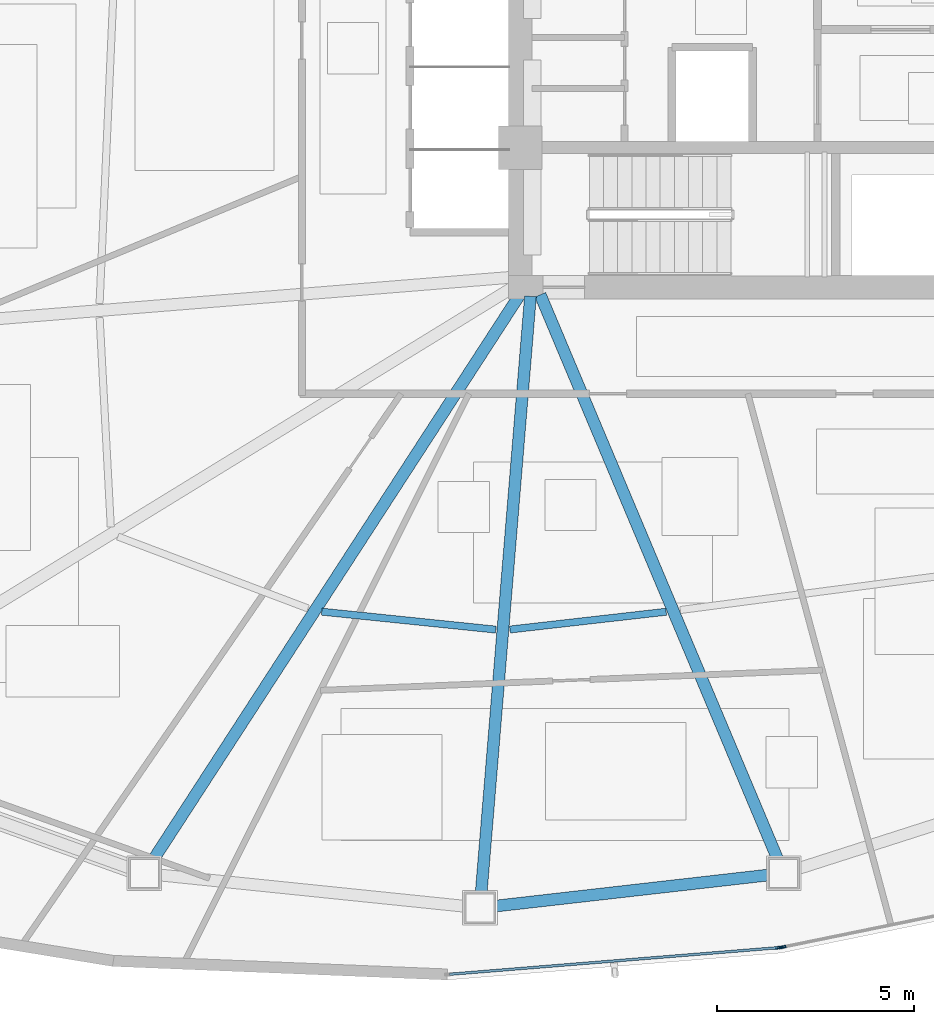
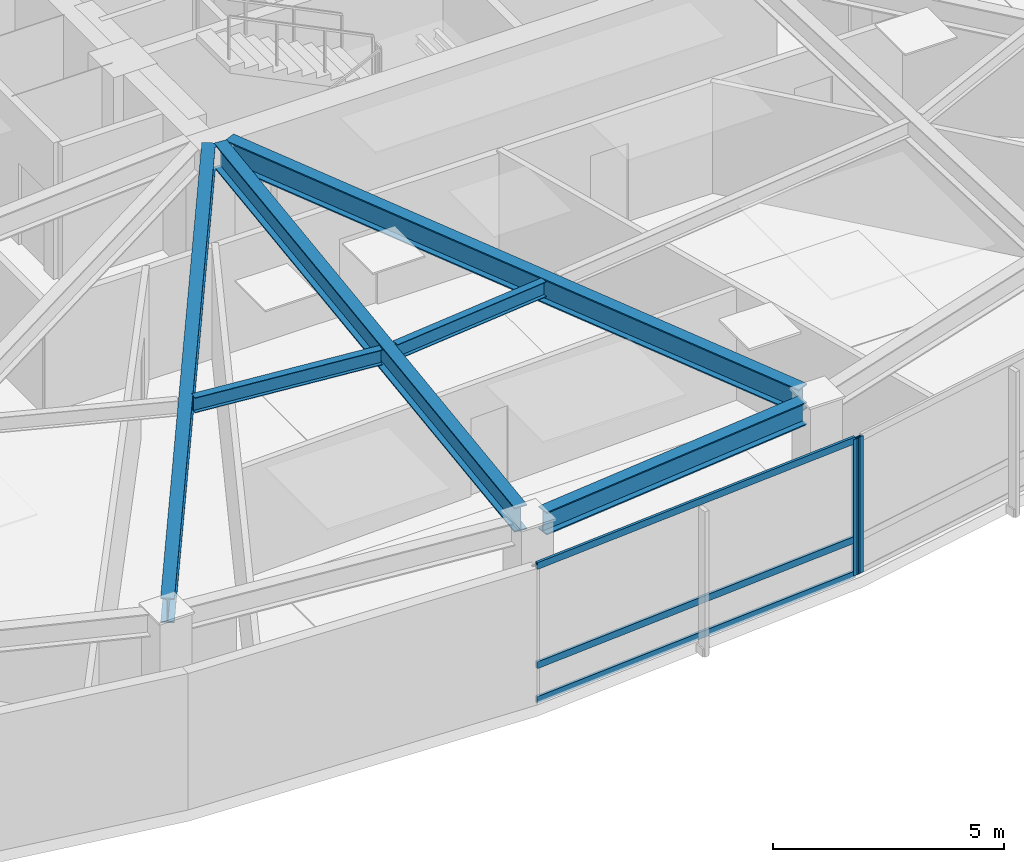
# One storey, part 3 of 18: 6 beams, 5 members, 2 elements without a shape of their own.
"""IFC4 building model written with IfcOpenShell, lengths in metres."""

from ifc_helpers import new_model, si_unit, direction, frame, origin, origin_2d, place, context, subcontext, project, spatial, hollow_rectangle, i_section, extrude, source, transform, mapped, material, layer, layer_set, material_profile, profile_set, type_object, type_shapes, element, aggregate, save


model = new_model("IFC4")

# Units and contexts
model_context = context("Model", 3, precision=1e-05, world=origin(), true_north=direction((0.0, 1.0)))
body_context = subcontext(model_context, "Body", "Model", "MODEL_VIEW")
ifc_project = project(units=[si_unit("LENGTHUNIT", "METRE"), si_unit("AREAUNIT", "SQUARE_METRE"), si_unit("VOLUMEUNIT", "CUBIC_METRE"), si_unit("PLANEANGLEUNIT", "RADIAN"), si_unit("MASSUNIT", "GRAM", prefix="KILO")], contexts=[model_context])

# Site, building, storey
site_placement = place(None, origin())
site = spatial("IfcSite", under=ifc_project, at=site_placement, CompositionType="ELEMENT")
building_placement = place(site_placement, origin())
building = spatial("IfcBuilding", under=site, at=building_placement, Name="Tavelor Broadcast Tower", CompositionType="ELEMENT")
storey_placement = place(building_placement, frame((0.0, 0.0, 58.800048828125)))
storey = spatial("IfcBuildingStorey", under=building, at=storey_placement, Name="L13", CompositionType="ELEMENT", Elevation=58.800048828125)

# Beams
ifc_material_1 = material(Name="Steel S355", Category="steel")
ifc_material_profile_1 = material_profile(ifc_material_1, i_section(OverallWidth=0.179931640625, OverallDepth=0.39990234375, WebThickness=0.008544921875, FlangeThickness=0.013427734375, at=origin_2d()), Name="IPE 400")
ifc_profile_set_1 = profile_set([ifc_material_profile_1], Name="Steel S355")
beam_type_1 = type_object("IfcBeamType", Name="Composite Floor Joist T1 IPE 400", PredefinedType="JOIST", material=ifc_profile_set_1)
beam_1_placement = place(storey_placement, frame((38.05517578125, 30.263671875, 3.39990234375), z_axis=(0.994731276638, -0.102516765835, 0.0), x_axis=(0.102516765835, 0.994731276638, 0.0)))
element("IfcBeam", 1, at=beam_1_placement, inside=storey, type_object=beam_type_1, Name="L13 Secondary Composite Floor Joist 08", PredefinedType="JOIST", context=body_context, shape_type="SweptSolid", body=[
    extrude(i_section(OverallWidth=0.179931640625, OverallDepth=0.39990234375, WebThickness=0.008544921875, FlangeThickness=0.013427734375, at=origin_2d()), origin(), (0.0, 0.0, 1.0), 4.44384765625),
])
beam_2_placement = place(storey_placement, frame((42.83544921875, 29.81005859375, 3.39990234375), z_axis=(0.993584195036, 0.113094860076, 0.0), x_axis=(-0.113094860076, 0.993584195036, 0.0)))
element("IfcBeam", 2, at=beam_2_placement, inside=storey, type_object=beam_type_1, Name="L13 Secondary Composite Floor Joist 09", PredefinedType="JOIST", context=body_context, shape_type="SweptSolid", body=[
    extrude(i_section(OverallWidth=0.179931640625, OverallDepth=0.39990234375, WebThickness=0.008544921875, FlangeThickness=0.013427734375, at=origin_2d()), origin(), (0.0, 0.0, 1.0), 3.99365234375),
])
ifc_material_profile_2 = material_profile(ifc_material_1, i_section(OverallWidth=0.300048828125, OverallDepth=0.60009765625, WebThickness=0.015380859375, FlangeThickness=0.030029296875, at=origin_2d()), Name="HEB 600")
ifc_profile_set_2 = profile_set([ifc_material_profile_2], Name="Steel S355")
beam_type_2 = type_object("IfcBeamType", Name="Perimeter Spandrel Beam T1 HEB 600", PredefinedType="SPANDREL", material=ifc_profile_set_2)
beam_3_placement = place(storey_placement, frame((42.45458984375, 22.783935546875, 3.300048828125), z_axis=(0.993590028959, 0.113043594921, 0.0), x_axis=(-0.113043594921, 0.993590028959, 0.0)))
element("IfcBeam", 3, at=beam_3_placement, inside=storey, type_object=beam_type_2, Name="L13 Framed-Tube Ring Spandrel 09", PredefinedType="SPANDREL", context=body_context, shape_type="SweptSolid", body=[
    extrude(i_section(OverallWidth=0.300048828125, OverallDepth=0.60009765625, WebThickness=0.015380859375, FlangeThickness=0.030029296875, at=origin_2d()), origin(), (0.0, 0.0, 1.0), 6.995361328125),
])
ifc_material_profile_3 = material_profile(ifc_material_1, i_section(OverallWidth=0.300048828125, OverallDepth=0.64990234375, WebThickness=0.01611328125, FlangeThickness=0.031005859375, at=origin_2d()), Name="HEB 650")
ifc_profile_set_3 = profile_set([ifc_material_profile_3], Name="Steel S355")
beam_type_3 = type_object("IfcBeamType", Name="Radial Floor Girder T1 HEB 650", PredefinedType="BEAM", material=ifc_profile_set_3)
beam_4_placement = place(storey_placement, frame((43.11279296875, 38.35693359375, 3.27490234375), z_axis=(-0.544182728087, -0.838966720706, 0.0), x_axis=(0.838966720706, -0.544182728087, 0.0)))
element("IfcBeam", 4, at=beam_4_placement, inside=storey, type_object=beam_type_3, Name="L13 Radial Primary Floor Girder 08", PredefinedType="BEAM", context=body_context, shape_type="SweptSolid", body=[
    extrude(i_section(OverallWidth=0.300048828125, OverallDepth=0.64990234375, WebThickness=0.01611328125, FlangeThickness=0.031005859375, at=origin_2d()), origin(), (0.0, 0.0, 1.0), 17.186767578125),
])
beam_5_placement = place(storey_placement, frame((43.3564453125, 38.273681640625, 3.27490234375), z_axis=(-0.082338386508, -0.996604430106, 0.0), x_axis=(0.996604430106, -0.082338386508, 0.0)))
element("IfcBeam", 5, at=beam_5_placement, inside=storey, type_object=beam_type_3, Name="L13 Radial Primary Floor Girder 09", PredefinedType="BEAM", context=body_context, shape_type="SweptSolid", body=[
    extrude(i_section(OverallWidth=0.300048828125, OverallDepth=0.64990234375, WebThickness=0.01611328125, FlangeThickness=0.031005859375, at=origin_2d()), origin(), (0.0, 0.0, 1.0), 15.201904296875),
])
beam_6_placement = place(storey_placement, frame((43.604736328125, 38.313232421875, 3.27490234375), z_axis=(0.387757434366, -0.921761450753, 0.0), x_axis=(0.921761450753, 0.387757434366, 0.0)))
element("IfcBeam", 6, at=beam_6_placement, inside=storey, type_object=beam_type_3, Name="L13 Radial Primary Floor Girder 10", PredefinedType="BEAM", context=body_context, shape_type="SweptSolid", body=[
    extrude(i_section(OverallWidth=0.300048828125, OverallDepth=0.64990234375, WebThickness=0.01611328125, FlangeThickness=0.031005859375, at=origin_2d()), origin(), (0.0, 0.0, 1.0), 15.55859375),
])

# Curtain wall, member
ifc_material_2 = material(Name="Architectural Anodized Aluminium", Category="aluminium")
ifc_layer = layer(ifc_material_2, 0.179931640625)
ifc_layer_set = layer_set([ifc_layer], Name="Architectural Anodized Aluminium")
curtain_wall_type = type_object("IfcCurtainWallType", Name="Tower Low-Zone Unitised Curtain Wall CW02", PredefinedType="NOTDEFINED", material=ifc_layer_set)
curtain_wall_1_placement = place(storey_placement, origin())
curtain_wall_1 = element("IfcCurtainWall", 7, at=curtain_wall_1_placement, inside=storey, type_object=curtain_wall_type, Name="L13 Curtain Wall CW02 Run 113", PredefinedType="NOTDEFINED")
ifc_material_profile_4 = material_profile(ifc_material_2, hollow_rectangle(XDim=0.06494140625, YDim=0.179931640625, WallThickness=0.02197265625, at=origin_2d()), Name="RHS 65x180x22")
ifc_profile_set_4 = profile_set([ifc_material_profile_4], Name="Architectural Anodized Aluminium")
member_type_1 = type_object("IfcMemberType", Name="CW02 Extruded Aluminium Mullion 65x180", PredefinedType="MULLION", material=ifc_profile_set_4)
shared_shape_1 = source(origin(), body_context, "Body", "SweptSolid", [
    extrude(hollow_rectangle(XDim=0.06494140625, YDim=0.179931640625, WallThickness=0.02197265625, at=origin_2d()), origin(), (0.0, 0.0, 1.0), 3.599853515625),
])
type_shapes(member_type_1, [shared_shape_1])
member_1_placement = place(storey_placement, frame((49.6640625, 21.729736328125, 0.0), z_axis=(0.0, 0.0, 1.0), x_axis=(-0.080629153288, 0.996744169604, 0.0)))
member_1 = element("IfcMember", 8, at=member_1_placement, type_object=member_type_1, Name="CW02 mullion 2", PredefinedType="MULLION", context=body_context, shape_type="MappedRepresentation", body=[
    mapped(shared_shape_1, transform((0.0, 0.0, 0.0), scale=1.0)),
])

curtain_wall_2_placement = place(storey_placement, origin())
curtain_wall_2 = element("IfcCurtainWall", 9, at=curtain_wall_2_placement, inside=storey, type_object=curtain_wall_type, Name="L13 Curtain Wall CW02 Run 114", PredefinedType="NOTDEFINED")
member_2_placement = place(storey_placement, frame((49.7578125, 21.7431640625, 0.0), z_axis=(0.0, 0.0, 1.0), x_axis=(-0.200648385632, 0.979663322445, 0.0)))
member_2 = element("IfcMember", 10, at=member_2_placement, type_object=member_type_1, Name="CW02 mullion 1", PredefinedType="MULLION", context=body_context, shape_type="MappedRepresentation", body=[
    mapped(shared_shape_1, transform((0.0, 0.0, 0.0), scale=1.0)),
])
aggregate(curtain_wall_2, [member_2])

# Member
ifc_material_profile_5 = material_profile(ifc_material_2, hollow_rectangle(XDim=0.06494140625, YDim=0.179931640625, WallThickness=0.02197265625, at=origin_2d()), Name="RHS 65x180x22")
ifc_profile_set_5 = profile_set([ifc_material_profile_5], Name="Architectural Anodized Aluminium")
member_type_2 = type_object("IfcMemberType", Name="CW02 Extruded Aluminium Transom 65x180", PredefinedType="USERDEFINED", material=ifc_profile_set_5)
shared_shape_2 = source(origin(), body_context, "Body", "SweptSolid", [
    extrude(hollow_rectangle(XDim=0.06494140625, YDim=0.179931640625, WallThickness=0.02197265625, at=origin_2d()), origin(), (0.0, 0.0, 1.0), 8.3544921875),
])
type_shapes(member_type_2, [shared_shape_2])
member_3_placement = place(storey_placement, frame((41.30419921875, 21.053466796875, 0.032470703125), z_axis=(0.996744552767, 0.080624416461, 0.0), x_axis=(-0.080624416461, 0.996744552767, 0.0)))
member_3 = element("IfcMember", 11, at=member_3_placement, type_object=member_type_2, Name="CW02 transom 1.1", ObjectType="TRANSOM", PredefinedType="USERDEFINED", context=body_context, shape_type="MappedRepresentation", body=[
    mapped(shared_shape_2, transform((0.0, 0.0, 0.0), scale=1.0)),
])

member_4_placement = place(storey_placement, frame((41.30419921875, 21.053466796875, 0.949951171875), z_axis=(0.996744552767, 0.080624416461, 0.0), x_axis=(-0.080624416461, 0.996744552767, 0.0)))
member_4 = element("IfcMember", 12, at=member_4_placement, type_object=member_type_2, Name="CW02 transom 1.2", ObjectType="TRANSOM", PredefinedType="USERDEFINED", context=body_context, shape_type="MappedRepresentation", body=[
    mapped(shared_shape_2, transform((0.0, 0.0, 0.0), scale=1.0)),
])

member_5_placement = place(storey_placement, frame((41.30419921875, 21.053466796875, 3.5673828125), z_axis=(0.996744552767, 0.080624416461, 0.0), x_axis=(-0.080624416461, 0.996744552767, 0.0)))
member_5 = element("IfcMember", 13, at=member_5_placement, type_object=member_type_2, Name="CW02 transom 1.3", ObjectType="TRANSOM", PredefinedType="USERDEFINED", context=body_context, shape_type="MappedRepresentation", body=[
    mapped(shared_shape_2, transform((0.0, 0.0, 0.0), scale=1.0)),
])

aggregate(curtain_wall_1, [member_1, member_3, member_4, member_5])

save(model, "model.ifc")
